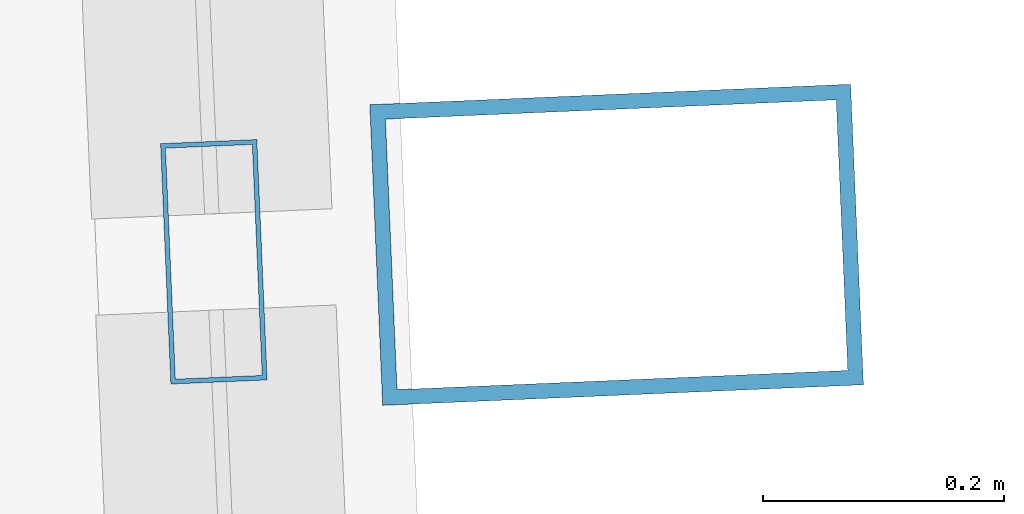
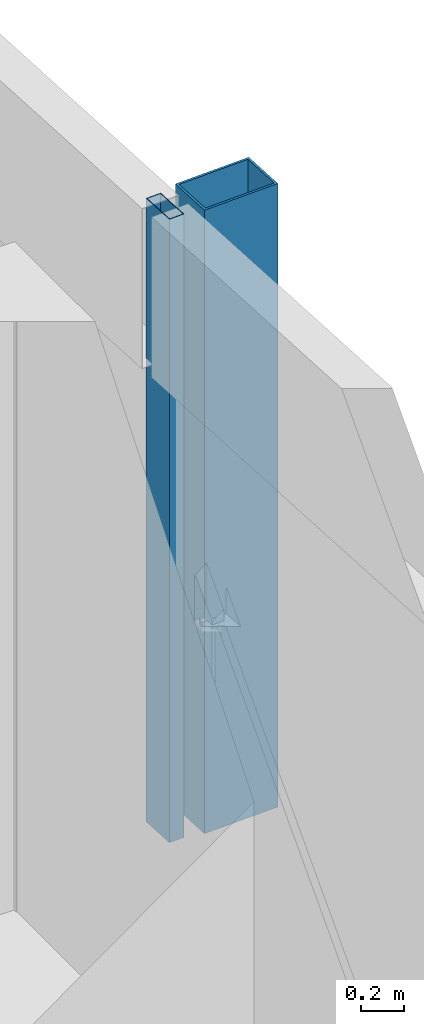
# One storey, part 29 of 44: 2 members, 1 element without a shape of its own.
"""IFC4 building model written with IfcOpenShell, lengths in metres."""

from ifc_helpers import new_model, si_unit, direction, frame, origin, origin_2d, place, context, subcontext, project, spatial, hollow_rectangle, extrude, material, material_profile, profile_set, type_object, element, aggregate, save


model = new_model("IFC4")

# Units and contexts
model_context = context("Model", 3, precision=1e-05, world=origin(), true_north=direction((0.0, 1.0)))
body_context = subcontext(model_context, "Body", "Model", "MODEL_VIEW")
ifc_project = project(units=[si_unit("LENGTHUNIT", "METRE"), si_unit("AREAUNIT", "SQUARE_METRE"), si_unit("VOLUMEUNIT", "CUBIC_METRE"), si_unit("PLANEANGLEUNIT", "RADIAN"), si_unit("MASSUNIT", "GRAM", prefix="KILO")], contexts=[model_context])

# Site, building, storey
site_placement = place(None, origin())
site = spatial("IfcSite", under=ifc_project, at=site_placement, CompositionType="ELEMENT")
building_placement = place(site_placement, origin())
building = spatial("IfcBuilding", under=site, at=building_placement, Name="Rekha Terrace Tower", CompositionType="ELEMENT")
storey_placement = place(building_placement, frame((0.0, 0.0, 74.14990234375)))
storey = spatial("IfcBuildingStorey", under=building, at=storey_placement, Name="L18", CompositionType="ELEMENT", Elevation=74.14990234375)

# Curtain wall, members
ifc_material_1 = material(Name="Aluminium framing", Category="aluminium")
curtain_wall_type = type_object("IfcCurtainWallType", Name="CW2 double skin outer glazing", PredefinedType="USERDEFINED", material=ifc_material_1)
curtain_wall_placement = place(storey_placement, origin())
curtain_wall = element("IfcCurtainWall", 1, at=curtain_wall_placement, inside=storey, type_object=curtain_wall_type, Name="CW2 double skin outer glazing", ObjectType="DOUBLE SKIN OUTER GLAZING", PredefinedType="USERDEFINED")
ifc_material_2 = material(Name="Steel S355 with fluorocarbon finish", Category="steel")
ifc_material_profile_1 = material_profile(ifc_material_2, hollow_rectangle(XDim=0.25, YDim=0.39990234375, WallThickness=0.012451171875, at=origin_2d()), Name="RHS400x250x12.5")
ifc_profile_set_1 = profile_set([ifc_material_profile_1], Name="Steel S355 with fluorocarbon finish")
member_type_1 = type_object("IfcMemberType", Name="BL1 facade blade RHS 400 x 250", PredefinedType="USERDEFINED", material=ifc_profile_set_1)
member_1_placement = place(storey_placement, frame((69.554443359375, 51.724609375, 0.0), z_axis=(0.0, 0.0, 1.0), x_axis=(-0.04269522475, 0.99908814315, 0.0)))
member_1 = element("IfcMember", 2, at=member_1_placement, type_object=member_type_1, Name="Facade blade", ObjectType="FACADE BLADE", PredefinedType="USERDEFINED", context=body_context, shape_type="SweptSolid", body=[
    extrude(hollow_rectangle(XDim=0.25, YDim=0.39990234375, WallThickness=0.012451171875, at=origin_2d()), origin(), (0.0, 0.0, 1.0), 3.5),
])
ifc_material_3 = material(Name="Aluminium mullion section", Category="aluminium")
ifc_material_profile_2 = material_profile(ifc_material_3, hollow_rectangle(XDim=0.080078125, YDim=0.199951171875, WallThickness=0.00390625, at=origin_2d()), Name="AL RHS 80x200")
ifc_profile_set_2 = profile_set([ifc_material_profile_2], Name="Aluminium mullion section")
member_type_2 = type_object("IfcMemberType", Name="CW2 mullion RHS 80 x 200", PredefinedType="MULLION", material=ifc_profile_set_2)
member_2_placement = place(storey_placement, frame((69.2197265625, 51.71044921875, 0.0), z_axis=(0.0, 0.0, 1.0), x_axis=(-0.999088106903, -0.042696072956, 0.0)))
member_2 = element("IfcMember", 3, at=member_2_placement, type_object=member_type_2, Name="CW2 mullion 4", PredefinedType="MULLION", context=body_context, shape_type="SweptSolid", body=[
    extrude(hollow_rectangle(XDim=0.080078125, YDim=0.199951171875, WallThickness=0.00390625, at=origin_2d()), origin(), (0.0, 0.0, 1.0), 3.5),
])
aggregate(curtain_wall, [member_2, member_1])

save(model, "model.ifc")
